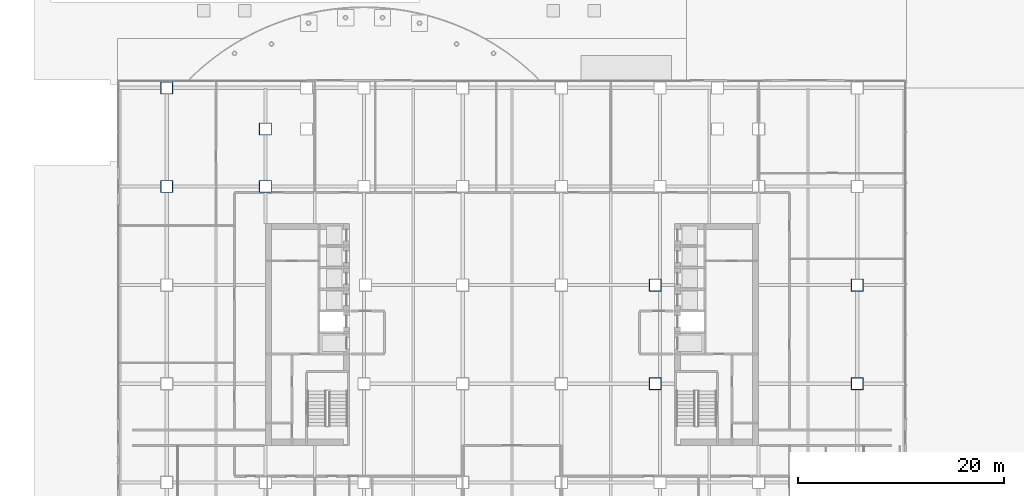
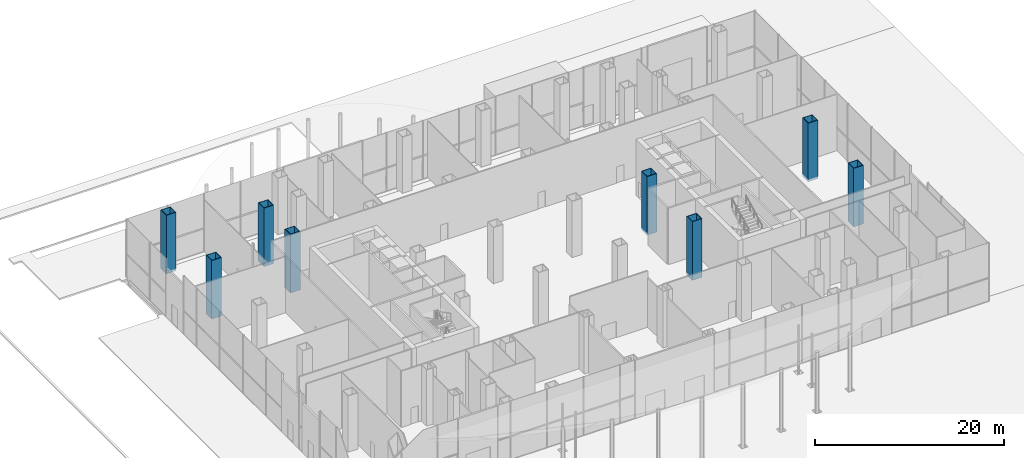
# One storey, part 5 of 36: 8 columns.
"""IFC4 building model written with IfcOpenShell, lengths in metres."""

from ifc_helpers import new_model, si_unit, direction, frame, origin, origin_2d, place, context, subcontext, project, spatial, hollow_rectangle, extrude, material, material_profile, profile_set, type_object, element, save


model = new_model("IFC4")

# Units and contexts
model_context = context("Model", 3, precision=1e-05, world=origin(), true_north=direction((0.0, 1.0)))
body_context = subcontext(model_context, "Body", "Model", "MODEL_VIEW")
ifc_project = project(units=[si_unit("LENGTHUNIT", "METRE"), si_unit("AREAUNIT", "SQUARE_METRE"), si_unit("VOLUMEUNIT", "CUBIC_METRE"), si_unit("PLANEANGLEUNIT", "RADIAN"), si_unit("MASSUNIT", "GRAM", prefix="KILO")], contexts=[model_context])

# Site, building, storey
site_placement = place(None, origin())
site = spatial("IfcSite", under=ifc_project, at=site_placement, CompositionType="ELEMENT")
building_placement = place(site_placement, origin())
building = spatial("IfcBuilding", under=site, at=building_placement, Name="Cobrizo Arcos Hotel Tower", CompositionType="ELEMENT")
storey_placement = place(building_placement, origin())
storey = spatial("IfcBuildingStorey", under=building, at=storey_placement, Name="L00", CompositionType="ELEMENT", Elevation=0.0)

# Columns
ifc_material = material(Name="Steel ASTM A572 Grade 50", Category="steel")
ifc_material_profile_1 = material_profile(ifc_material, hollow_rectangle(XDim=1.199951171875, YDim=1.199951171875, WallThickness=0.070068359375, at=origin_2d()), Name="BOX 1200X1200X70")
ifc_profile_set_1 = profile_set([ifc_material_profile_1], Name="Steel ASTM A572 Grade 50")
column_type_1 = type_object("IfcColumnType", Name="BOX 1200X1200X70 column", PredefinedType="COLUMN", material=ifc_profile_set_1)
for number, where, z_axis, x_axis, name in (
    (1, (-33.60009765625, 14.39990234375, -0.300048828125), (0.0, 0.0, 1.0), (1.0, 0.0, 0.0), "Perimeter column C1, L00, no. 04"),
    (2, (-33.60009765625, 24.0, -0.300048828125), (0.0, 0.0, 1.0), (1.0, 0.0, 0.0), "Perimeter column C1, L00, no. 05"),
    (3, (33.60009765625, -4.800048828125, -0.300048828125), (0.0, 0.0, 1.0), (1.0, 0.0, 0.0), "Perimeter column C1, L00, no. 20"),
    (4, (33.60009765625, 4.800048828125, -0.300048828125), (0.0, 0.0, 1.0), (1.0, 0.0, 0.0), "Perimeter column C1, L00, no. 21"),
):
    element("IfcColumn", number, at=place(storey_placement, frame(where, z_axis=z_axis, x_axis=x_axis)), inside=storey, type_object=column_type_1, Name=name, PredefinedType="COLUMN", context=body_context, shape_type="SweptSolid", body=[
        extrude(hollow_rectangle(XDim=1.199951171875, YDim=1.199951171875, WallThickness=0.070068359375, at=origin_2d()), origin(), (0.0, 0.0, 1.0), 7.550048828125),
    ])
ifc_material_profile_2 = material_profile(ifc_material, hollow_rectangle(XDim=1.199951171875, YDim=1.199951171875, WallThickness=0.070068359375, at=origin_2d()), Name="BOX 1200X1200X70")
ifc_profile_set_2 = profile_set([ifc_material_profile_2], Name="Steel ASTM A572 Grade 50")
column_type_2 = type_object("IfcColumnType", Name="BOX 1200X1200X70 interior column", PredefinedType="COLUMN", material=ifc_profile_set_2)
for number, where, z_axis, x_axis, name in (
    (5, (-24.0, 14.39990234375, -0.300048828125), (0.0, 0.0, 1.0), (1.0, 0.0, 0.0), "Interior column C2, L00, no. 02"),
    (6, (-24.0, 20.0, -0.300048828125), (0.0, 0.0, 1.0), (1.0, 0.0, 0.0), "Interior column C2, L00, no. 03"),
    (7, (13.93994140625, -4.800048828125, -0.300048828125), (0.0, 0.0, 1.0), (1.0, 0.0, 0.0), "Interior column C2, L00, no. 19"),
    (8, (13.93994140625, 4.800048828125, -0.300048828125), (0.0, 0.0, 1.0), (1.0, 0.0, 0.0), "Interior column C2, L00, no. 20"),
):
    element("IfcColumn", number, at=place(storey_placement, frame(where, z_axis=z_axis, x_axis=x_axis)), inside=storey, type_object=column_type_2, Name=name, PredefinedType="COLUMN", context=body_context, shape_type="SweptSolid", body=[
        extrude(hollow_rectangle(XDim=1.199951171875, YDim=1.199951171875, WallThickness=0.070068359375, at=origin_2d()), origin(), (0.0, 0.0, 1.0), 7.550048828125),
    ])

save(model, "model.ifc")
